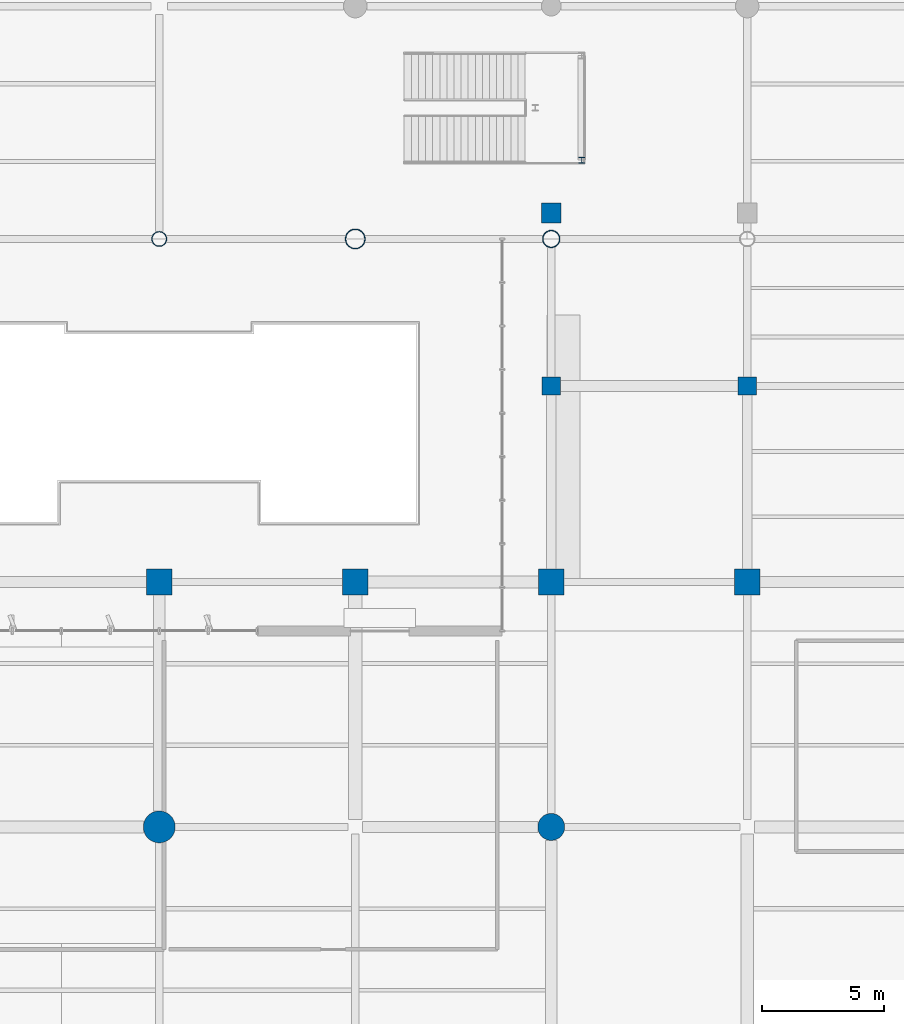
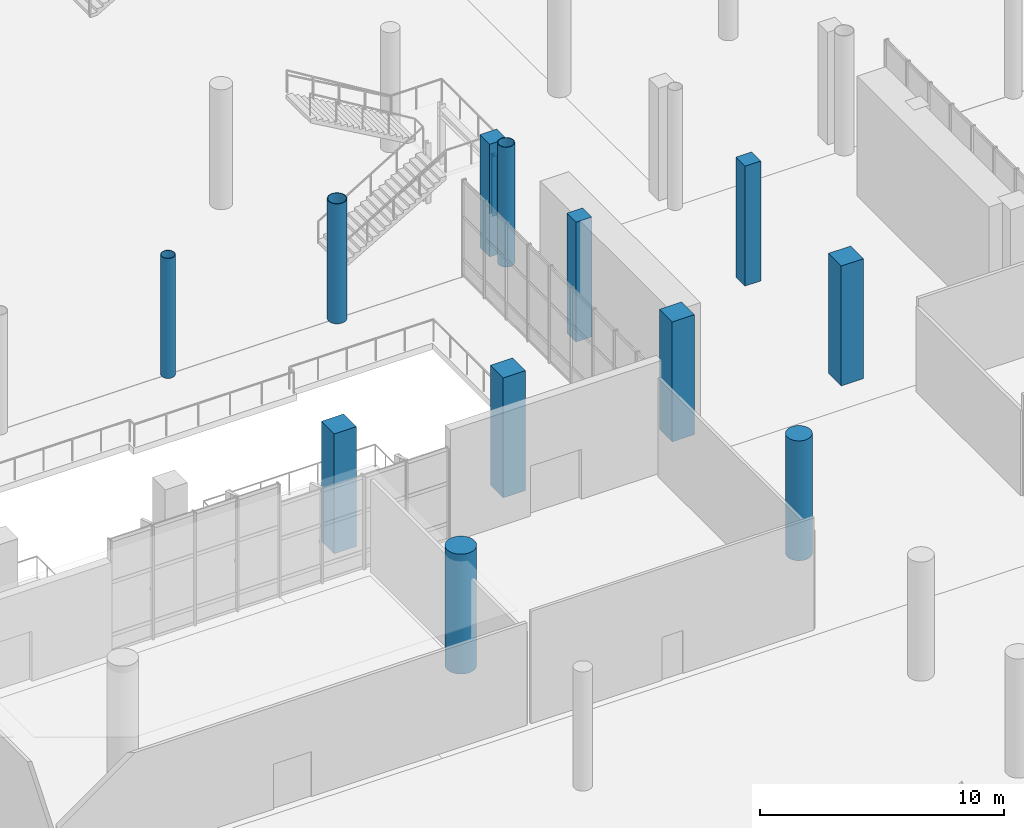
# One storey, part 15 of 163: 13 columns.
"""IFC4 building model written with IfcOpenShell, lengths in metres."""

from ifc_helpers import new_model, si_unit, direction, frame, origin, origin_2d, place, context, subcontext, project, spatial, rectangle, circle, hollow_circle, i_section, extrude, material, material_profile, profile_set, type_object, element, save


model = new_model("IFC4")

# Units and contexts
model_context = context("Model", 3, precision=1e-05, world=origin(), true_north=direction((0.0, 1.0)))
body_context = subcontext(model_context, "Body", "Model", "MODEL_VIEW")
ifc_project = project(units=[si_unit("LENGTHUNIT", "METRE"), si_unit("AREAUNIT", "SQUARE_METRE"), si_unit("VOLUMEUNIT", "CUBIC_METRE"), si_unit("PLANEANGLEUNIT", "RADIAN"), si_unit("MASSUNIT", "GRAM", prefix="KILO")], contexts=[model_context])

# Site, building, storey
site_placement = place(None, origin())
site = spatial("IfcSite", under=ifc_project, at=site_placement, CompositionType="ELEMENT")
building_placement = place(site_placement, origin())
building = spatial("IfcBuilding", under=site, at=building_placement, Name="Khorjan Park Terminus", CompositionType="ELEMENT")
storey_placement = place(building_placement, origin())
storey = spatial("IfcBuildingStorey", under=building, at=storey_placement, Name="L00", CompositionType="ELEMENT", Elevation=0.0)

# Columns
ifc_material_1 = material(Name="Steel S355", Category="steel")
ifc_material_profile_1 = material_profile(ifc_material_1, i_section(OverallWidth=0.24, OverallDepth=0.24, WebThickness=0.01, FlangeThickness=0.017, FilletRadius=0.021, at=origin_2d()), Name="HEB 240")
ifc_profile_set_1 = profile_set([ifc_material_profile_1], Name="Steel S355")
column_type_1 = type_object("IfcColumnType", Name="COL-HB240", PredefinedType="COLUMN", material=ifc_profile_set_1)
column_1_placement = place(storey_placement, frame((113.25, 105.22, 0.0), z_axis=(0.0, 0.0, 1.0), x_axis=(1.0, 0.0, 0.0)))
element("IfcColumn", 1, at=column_1_placement, inside=storey, type_object=column_type_1, Name="Structural column SC-H24 (L00 #997)", PredefinedType="COLUMN", context=body_context, shape_type="SweptSolid", body=[
    extrude(i_section(OverallWidth=0.24, OverallDepth=0.24, WebThickness=0.01, FlangeThickness=0.017, FilletRadius=0.021, at=origin_2d()), origin(), (0.0, 0.0, 1.0), 3.0),
])
ifc_material_2 = material(Name="Concrete C50/60", Category="concrete")
ifc_material_profile_2 = material_profile(ifc_material_2, rectangle(XDim=1.05, YDim=1.05, at=origin_2d()), Name="RC 1050x1050")
ifc_profile_set_2 = profile_set([ifc_material_profile_2], Name="Concrete C50/60")
column_type_2 = type_object("IfcColumnType", Name="COL-RC1050", PredefinedType="COLUMN", material=ifc_profile_set_2)
for number, where, z_axis, x_axis, name in (
    (2, (96.0, 88.0, 0.0), (0.0, 0.0, 1.0), (1.0, 0.0, 0.0), "Structural column C-RC105 (L00 #378)"),
    (3, (104.0, 88.0, 0.0), (0.0, 0.0, 1.0), (1.0, 0.0, 0.0), "Structural column C-RC105 (L00 #394)"),
    (4, (112.0, 88.0, 0.0), (0.0, 0.0, 1.0), (1.0, 0.0, 0.0), "Structural column C-RC105 (L00 #422)"),
    (5, (120.0, 88.0, 0.0), (0.0, 0.0, 1.0), (1.0, 0.0, 0.0), "Structural column C-RC105 (L00 #437)"),
):
    element("IfcColumn", number, at=place(storey_placement, frame(where, z_axis=z_axis, x_axis=x_axis)), inside=storey, type_object=column_type_2, Name=name, PredefinedType="COLUMN", context=body_context, shape_type="SweptSolid", body=[
        extrude(rectangle(XDim=1.05, YDim=1.05, at=origin_2d()), origin(), (0.0, 0.0, 1.0), 6.0),
    ])
ifc_material_3 = material(Name="Concrete C40/50", Category="concrete")
ifc_material_profile_3 = material_profile(ifc_material_3, rectangle(XDim=0.75, YDim=0.75, at=origin_2d()), Name="RC 750x750")
ifc_profile_set_3 = profile_set([ifc_material_profile_3], Name="Concrete C40/50")
column_type_3 = type_object("IfcColumnType", Name="COL-RC750", PredefinedType="COLUMN", material=ifc_profile_set_3)
for number, where, z_axis, x_axis, name in (
    (6, (112.0, 96.0, 0.0), (0.0, 0.0, 1.0), (1.0, 0.0, 0.0), "Structural column C-RC75 (L00 #519)"),
    (7, (120.0, 96.0, 0.0), (0.0, 0.0, 1.0), (1.0, 0.0, 0.0), "Structural column C-RC75 (L00 #523)"),
):
    element("IfcColumn", number, at=place(storey_placement, frame(where, z_axis=z_axis, x_axis=x_axis)), inside=storey, type_object=column_type_3, Name=name, PredefinedType="COLUMN", context=body_context, shape_type="SweptSolid", body=[
        extrude(rectangle(XDim=0.75, YDim=0.75, at=origin_2d()), origin(), (0.0, 0.0, 1.0), 6.0),
    ])
ifc_material_profile_4 = material_profile(ifc_material_3, rectangle(XDim=0.8, YDim=0.8, at=origin_2d()), Name="RC 800x800")
ifc_profile_set_4 = profile_set([ifc_material_profile_4], Name="Concrete C40/50")
column_type_4 = type_object("IfcColumnType", Name="COL-RC800", PredefinedType="COLUMN", material=ifc_profile_set_4)
column_2_placement = place(storey_placement, frame((112.0, 103.06, 0.0), z_axis=(0.0, 0.0, 1.0), x_axis=(1.0, 0.0, 0.0)))
element("IfcColumn", 8, at=column_2_placement, inside=storey, type_object=column_type_4, Name="Structural column C-RC08 (L00 #521)", PredefinedType="COLUMN", context=body_context, shape_type="SweptSolid", body=[
    extrude(rectangle(XDim=0.8, YDim=0.8, at=origin_2d()), origin(), (0.0, 0.0, 1.0), 5.64),
])
ifc_material_profile_5 = material_profile(ifc_material_2, circle(Radius=0.55, at=origin_2d()), Name="RC D1100")
ifc_profile_set_5 = profile_set([ifc_material_profile_5], Name="Concrete C50/60")
column_type_5 = type_object("IfcColumnType", Name="COL-RD1100", PredefinedType="COLUMN", material=ifc_profile_set_5)
column_3_placement = place(storey_placement, frame((112.0, 78.0, 0.0), z_axis=(0.0, 0.0, 1.0), x_axis=(1.0, 0.0, 0.0)))
element("IfcColumn", 9, at=column_3_placement, inside=storey, type_object=column_type_5, Name="Structural column C-RD11 (L00 #419)", PredefinedType="COLUMN", context=body_context, shape_type="SweptSolid", body=[
    extrude(circle(Radius=0.55, at=origin_2d()), origin(), (0.0, 0.0, 1.0), 6.0),
])
ifc_material_profile_6 = material_profile(ifc_material_2, circle(Radius=0.65, at=origin_2d()), Name="RC D1300")
ifc_profile_set_6 = profile_set([ifc_material_profile_6], Name="Concrete C50/60")
column_type_6 = type_object("IfcColumnType", Name="COL-RD1300", PredefinedType="COLUMN", material=ifc_profile_set_6)
column_4_placement = place(storey_placement, frame((96.0, 78.0, 0.0), z_axis=(0.0, 0.0, 1.0), x_axis=(1.0, 0.0, 0.0)))
element("IfcColumn", 10, at=column_4_placement, inside=storey, type_object=column_type_6, Name="Structural column C-RD13 (L00 #375)", PredefinedType="COLUMN", context=body_context, shape_type="SweptSolid", body=[
    extrude(circle(Radius=0.65, at=origin_2d()), origin(), (0.0, 0.0, 1.0), 6.0),
])
ifc_material_profile_7 = material_profile(ifc_material_1, hollow_circle(Radius=0.305, WallThickness=0.02, at=origin_2d()), Name="CHS 610x20")
ifc_profile_set_7 = profile_set([ifc_material_profile_7], Name="Steel S355")
column_type_7 = type_object("IfcColumnType", Name="COL-SH610E", PredefinedType="COLUMN", material=ifc_profile_set_7)
column_5_placement = place(storey_placement, frame((96.0, 102.0, 0.0), z_axis=(0.0, 0.0, 1.0), x_axis=(1.0, 0.0, 0.0)))
element("IfcColumn", 11, at=column_5_placement, inside=storey, type_object=column_type_7, Name="Structural column SC-61 (L00 #137)", PredefinedType="COLUMN", context=body_context, shape_type="SweptSolid", body=[
    extrude(hollow_circle(Radius=0.305, WallThickness=0.02, at=origin_2d()), origin(), (0.0, 0.0, 1.0), 6.0),
])
ifc_material_profile_8 = material_profile(ifc_material_1, hollow_circle(Radius=0.3555, WallThickness=0.025, at=origin_2d()), Name="CHS 711x25")
ifc_profile_set_8 = profile_set([ifc_material_profile_8], Name="Steel S355")
column_type_8 = type_object("IfcColumnType", Name="COL-SH711E", PredefinedType="COLUMN", material=ifc_profile_set_8)
column_6_placement = place(storey_placement, frame((112.0, 102.0, 0.0), z_axis=(0.0, 0.0, 1.0), x_axis=(1.0, 0.0, 0.0)))
element("IfcColumn", 12, at=column_6_placement, inside=storey, type_object=column_type_8, Name="Structural column SC-71 (L00 #163)", PredefinedType="COLUMN", context=body_context, shape_type="SweptSolid", body=[
    extrude(hollow_circle(Radius=0.3555, WallThickness=0.025, at=origin_2d()), origin(), (0.0, 0.0, 1.0), 6.0),
])
ifc_material_profile_9 = material_profile(ifc_material_1, hollow_circle(Radius=0.4065, WallThickness=0.025, at=origin_2d()), Name="CHS 813x25")
ifc_profile_set_9 = profile_set([ifc_material_profile_9], Name="Steel S355")
column_type_9 = type_object("IfcColumnType", Name="COL-SH813E", PredefinedType="COLUMN", material=ifc_profile_set_9)
column_7_placement = place(storey_placement, frame((104.0, 102.0, 0.0), z_axis=(0.0, 0.0, 1.0), x_axis=(1.0, 0.0, 0.0)))
element("IfcColumn", 13, at=column_7_placement, inside=storey, type_object=column_type_9, Name="Structural column SC-81 (L00 #149)", PredefinedType="COLUMN", context=body_context, shape_type="SweptSolid", body=[
    extrude(hollow_circle(Radius=0.4065, WallThickness=0.025, at=origin_2d()), origin(), (0.0, 0.0, 1.0), 6.0),
])

save(model, "model.ifc")
